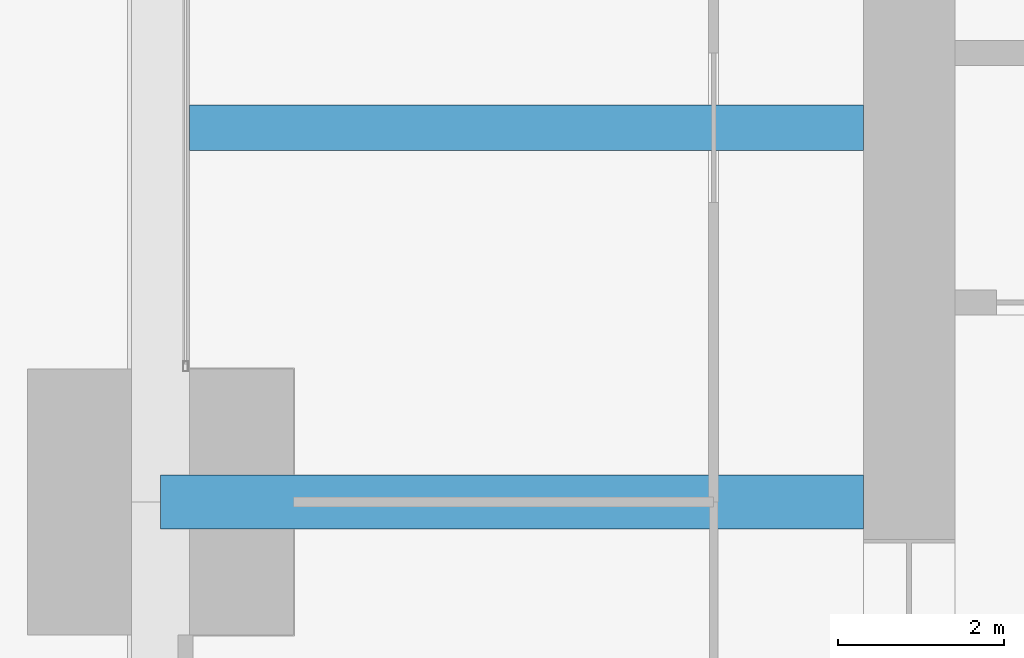
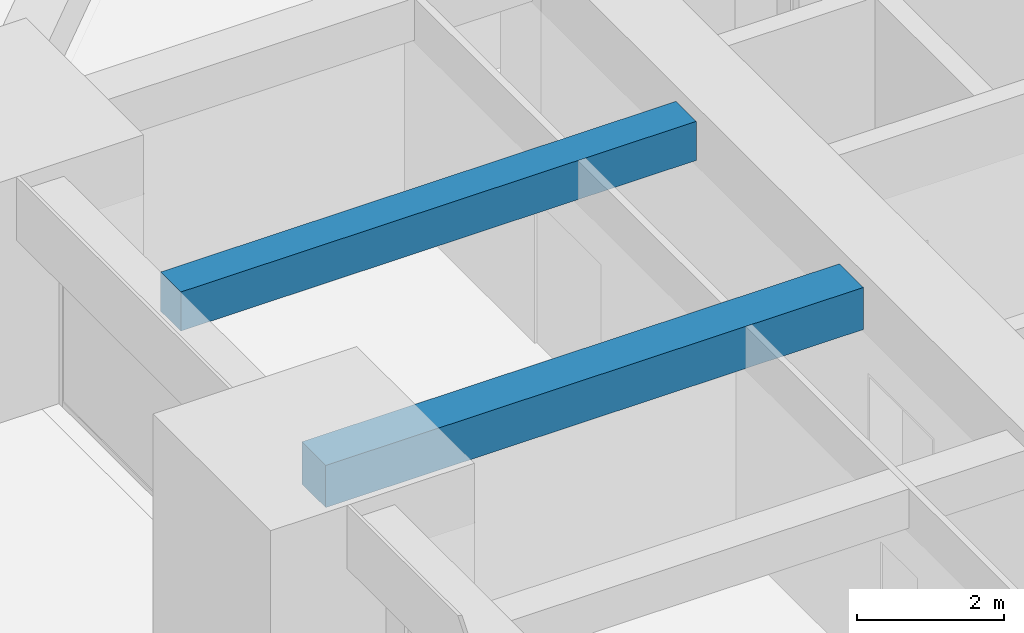
# One storey, part 14 of 40: 2 beams.
"""IFC4 building model written with IfcOpenShell, lengths in metres."""

import ifcopenshell
import ifcopenshell.guid

model = None  # the IFC model being written
_history = None  # IfcOwnerHistory: only IFC2X3 demands one
_inside = {}  # id of a spatial element -> (the spatial element, [elements in it])
_under = {}  # id of a project, library or spatial element -> (it, [spatial elements below it])
_declared = {}  # id of a project -> (the project, [libraries it declares])
_typed = {}  # id of a type object -> (the type object, [elements of that type])
_made_of = {}  # id of a material, layer set ... -> (it, [elements and type objects made of it])


def new_model(schema):
    """Start an empty IFC model of exactly this schema.

    Asked for "IFC4X3", IfcOpenShell would pick the latest addendum, in which some entities
    have other attributes; the version numbers below select the first issue.
    IFC2X3 requires an IfcOwnerHistory on every rooted entity: one is made here for all.
    """
    global model, _history
    if schema == "IFC4X3":
        model = ifcopenshell.file(schema_version=(4, 3, 0, 0))
    else:
        model = ifcopenshell.file(schema=schema)
    _inside.clear()
    _under.clear()
    _declared.clear()
    _typed.clear()
    _made_of.clear()
    _history = None
    if model.schema == "IFC2X3":
        org = make("IfcOrganization", Name="unknown")
        user = make(
            "IfcPersonAndOrganization",
            ThePerson=make("IfcPerson", FamilyName="unknown"),
            TheOrganization=org,
        )
        app = make(
            "IfcApplication",
            ApplicationDeveloper=org,
            Version="unknown",
            ApplicationFullName="unknown",
            ApplicationIdentifier="unknown",
        )
        _history = make(
            "IfcOwnerHistory",
            OwningUser=user,
            OwningApplication=app,
            ChangeAction="ADDED",
            CreationDate=0,
        )
    return model


def make(cls, **values):
    """One entity of the class cls with the attributes given. An attribute that is None is left unset."""
    return model.create_entity(
        cls, **{name: value for name, value in values.items() if value is not None}
    )


def rooted(cls, **values):
    """An entity with a GlobalId (a new one), such as an element, a storey or a relation."""
    return make(cls, GlobalId=ifcopenshell.guid.new(), OwnerHistory=_history, **values)


def si_unit(unit_type, name, prefix=None):
    """IfcSIUnit, for example si_unit("LENGTHUNIT", "METRE", prefix="MILLI")."""
    return make("IfcSIUnit", UnitType=unit_type, Prefix=prefix, Name=name)


def assignment(units):
    """IfcUnitAssignment: the units of a project."""
    return None if units is None else make("IfcUnitAssignment", Units=units)


def point(xyz):
    """IfcCartesianPoint."""
    return None if xyz is None else make("IfcCartesianPoint", Coordinates=xyz)


def direction(xyz):
    """IfcDirection."""
    return None if xyz is None else make("IfcDirection", DirectionRatios=xyz)


def frame(location, z_axis=None, x_axis=None):
    """IfcAxis2Placement3D, a coordinate frame: its origin and axes. An axis left out is left unset."""
    return make(
        "IfcAxis2Placement3D",
        Location=point(location),
        Axis=direction(z_axis),
        RefDirection=direction(x_axis),
    )


def frame_2d(location, x_axis=None):
    """IfcAxis2Placement2D, a coordinate frame in the plane: its origin and x axis."""
    return make(
        "IfcAxis2Placement2D", Location=point(location), RefDirection=direction(x_axis)
    )


def origin():
    """The frame at (0, 0, 0) with its axes left unset."""
    return frame((0.0, 0.0, 0.0))


def origin_2d():
    """The frame at (0, 0) in the plane with its x axis left unset."""
    return frame_2d((0.0, 0.0))


def place(relative_to, where):
    """IfcLocalPlacement: puts the frame where relative to a parent placement (None: the world)."""
    return make(
        "IfcLocalPlacement", PlacementRelTo=relative_to, RelativePlacement=where
    )


def context(
    kind, dimensions, precision=None, world=None, true_north=None, identifier=None
):
    """IfcGeometricRepresentationContext, for example the 3D "Model" context."""
    return make(
        "IfcGeometricRepresentationContext",
        ContextIdentifier=identifier,
        ContextType=kind,
        CoordinateSpaceDimension=dimensions,
        Precision=precision,
        WorldCoordinateSystem=world,
        TrueNorth=true_north,
    )


def subcontext(parent, identifier, kind, view, scale=None):
    """IfcGeometricRepresentationSubContext, for example "Body" below "Model"."""
    return make(
        "IfcGeometricRepresentationSubContext",
        ContextIdentifier=identifier,
        ContextType=kind,
        ParentContext=parent,
        TargetScale=scale,
        TargetView=view,
    )


def project(units=None, contexts=None):
    """IfcProject with its units and contexts."""
    return rooted(
        "IfcProject",
        Name="project",
        RepresentationContexts=contexts,
        UnitsInContext=assignment(units),
    )


def spatial(cls, under=None, at=None, **own):
    """A site, building, storey or space (cls), placed at a placement, below another one or the project."""
    s = rooted(cls, ObjectPlacement=at, **own)
    if under is not None:
        _under.setdefault(under.id(), (under, []))[1].append(s)
    return s


def profile(cls, at=None, kind="AREA", **sizes):
    """A parametric profile (cls). Its sizes go by their IFC names, for example OverallWidth=200.0."""
    return make(cls, ProfileType=kind, Position=at, **sizes)


def rectangle(**sizes):
    """IfcRectangleProfileDef."""
    return profile("IfcRectangleProfileDef", **sizes)


def extrude(swept, where, along, depth):
    """IfcExtrudedAreaSolid: the profile swept, set in the frame where, extruded along a direction by depth."""
    return make(
        "IfcExtrudedAreaSolid",
        SweptArea=swept,
        Position=where,
        ExtrudedDirection=direction(along),
        Depth=depth,
    )


def shape(context_of_items, identifier, shape_type, items):
    """IfcShapeRepresentation: the items that make up one representation, for example the "Body"."""
    return make(
        "IfcShapeRepresentation",
        ContextOfItems=context_of_items,
        RepresentationIdentifier=identifier,
        RepresentationType=shape_type,
        Items=items,
    )


def material(Name=None, Category=None):
    """IfcMaterial."""
    return make("IfcMaterial", Name=Name, Category=Category)


def material_profile(
    of_material, cross_section, Name=None, Category=None, Priority=None
):
    """IfcMaterialProfile: a cross section and its material."""
    return make(
        "IfcMaterialProfile",
        Name=Name,
        Material=of_material,
        Profile=cross_section,
        Priority=Priority,
        Category=Category,
    )


def profile_set(profiles, Name=None, composite=None):
    """IfcMaterialProfileSet."""
    return make(
        "IfcMaterialProfileSet",
        Name=Name,
        MaterialProfiles=profiles,
        CompositeProfile=composite,
    )


def made_of(thing, what):
    """Note that an element or type object is made of a material, layer set ...; save() writes the relation."""
    if what is not None:
        _made_of.setdefault(what.id(), (what, []))[1].append(thing)
    return thing


def type_object(cls, material=None, **own):
    """A type object (cls), such as IfcWallType, which elements share."""
    return made_of(rooted(cls, **own), material)


def element(
    cls,
    number,
    at=None,
    inside=None,
    cuts=None,
    type_object=None,
    material=None,
    context=None,
    identifier="Body",
    shape_type=None,
    held_by="IfcProductDefinitionShape",
    body=None,
    shapes=None,
    **own,
):
    """One element of the class cls, such as IfcWall. Its Tag is "e" and its number.

    at: its placement. inside: the storey or other place that contains it. cuts: it is an
    opening in that element (IfcRelVoidsElement). A single representation is given by context,
    identifier, shape_type and body (its items); several are given by shapes. held_by: the class
    of the entity that holds the representations. save() writes the other relations.
    """
    e = rooted(cls, Tag="e%d" % number, ObjectPlacement=at, **own)
    if body is not None:
        shapes = [shape(context, identifier, shape_type, body)]
    if shapes is not None:
        e.Representation = make(held_by, Representations=shapes)
    if inside is not None:
        _inside.setdefault(inside.id(), (inside, []))[1].append(e)
    if cuts is not None:
        rooted(
            "IfcRelVoidsElement", RelatingBuildingElement=cuts, RelatedOpeningElement=e
        )
    if type_object is not None:
        _typed.setdefault(type_object.id(), (type_object, []))[1].append(e)
    return made_of(e, material)


def aggregate(whole, parts):
    """IfcRelAggregates: a whole, such as a stair, and the parts it consists of."""
    return rooted("IfcRelAggregates", RelatingObject=whole, RelatedObjects=parts)


def save(model, path):
    """Write the relations noted so far, then the file.

    IfcRelAggregates (storeys below a building ...), IfcRelContainedInSpatialStructure (elements
    in a storey), IfcRelDefinesByType, IfcRelAssociatesMaterial and IfcRelDeclares: one each for
    every whole, place, type object, material and project.
    """
    for whole, parts in _under.values():
        aggregate(whole, parts)
    for where, things in _inside.values():
        rooted(
            "IfcRelContainedInSpatialStructure",
            RelatedElements=things,
            RelatingStructure=where,
        )
    for kind, things in _typed.values():
        rooted("IfcRelDefinesByType", RelatedObjects=things, RelatingType=kind)
    for what, things in _made_of.values():
        rooted("IfcRelAssociatesMaterial", RelatedObjects=things, RelatingMaterial=what)
    for by, libraries in _declared.values():
        rooted("IfcRelDeclares", RelatingContext=by, RelatedDefinitions=libraries)
    model.write(path)


model = new_model("IFC4")

# Units and contexts
model_context = context("Model", 3, precision=1e-05, world=origin(), true_north=direction((0.0, 1.0)))
body_context = subcontext(model_context, "Body", "Model", "MODEL_VIEW")
ifc_project = project(units=[si_unit("LENGTHUNIT", "METRE"), si_unit("AREAUNIT", "SQUARE_METRE"), si_unit("VOLUMEUNIT", "CUBIC_METRE"), si_unit("PLANEANGLEUNIT", "RADIAN"), si_unit("MASSUNIT", "GRAM", prefix="KILO")], contexts=[model_context])

# Site, building, storey
site_placement = place(None, origin())
site = spatial("IfcSite", under=ifc_project, at=site_placement, CompositionType="ELEMENT")
building_placement = place(site_placement, origin())
building = spatial("IfcBuilding", under=site, at=building_placement, Name="Zorevar Civic Tower", CompositionType="ELEMENT")
storey_placement = place(building_placement, frame((0.0, 0.0, 239.39990234375)))
storey = spatial("IfcBuildingStorey", under=building, at=storey_placement, Name="L58", CompositionType="ELEMENT", Elevation=239.39990234375)

# Beams
ifc_material_1 = material(Name="Concrete C50/60", Category="concrete")
ifc_material_profile_1 = material_profile(ifc_material_1, rectangle(XDim=0.550048828125, YDim=0.64990234375, at=origin_2d()), Name="RC 550x650")
ifc_profile_set_1 = profile_set([ifc_material_profile_1], Name="Concrete C50/60")
beam_type_1 = type_object("IfcBeamType", Name="Beam RC 550x650", PredefinedType="BEAM", material=ifc_profile_set_1)
beam_1_placement = place(storey_placement, frame((9.35009765625, 31.5, 3.425048828125), z_axis=(1.0, 0.0, 0.0), x_axis=(0.0, 1.0, 0.0)))
element("IfcBeam", 1, at=beam_1_placement, inside=storey, type_object=beam_type_1, Name="Secondary beam L59", PredefinedType="BEAM", context=body_context, shape_type="SweptSolid", body=[
    extrude(rectangle(XDim=0.550048828125, YDim=0.64990234375, at=origin_2d()), origin(), (0.0, 0.0, 1.0), 8.099853515625),
])
ifc_material_2 = material(Name="Concrete C50/60", Category="concrete")
ifc_material_profile_2 = material_profile(ifc_material_2, rectangle(XDim=0.64990234375, YDim=0.699951171875, at=origin_2d()), Name="RC 650x700")
ifc_profile_set_2 = profile_set([ifc_material_profile_2], Name="Concrete C50/60")
beam_type_2 = type_object("IfcBeamType", Name="Beam RC 650x700", PredefinedType="BEAM", material=ifc_profile_set_2)
beam_2_placement = place(storey_placement, frame((9.0, 27.0, 3.400146484375), z_axis=(1.0, 0.0, 0.0), x_axis=(0.0, 1.0, 0.0)))
element("IfcBeam", 2, at=beam_2_placement, inside=storey, type_object=beam_type_2, Name="Girder L59", PredefinedType="BEAM", context=body_context, shape_type="SweptSolid", body=[
    extrude(rectangle(XDim=0.64990234375, YDim=0.699951171875, at=origin_2d()), origin(), (0.0, 0.0, 1.0), 8.449951171875),
])

save(model, "model.ifc")
